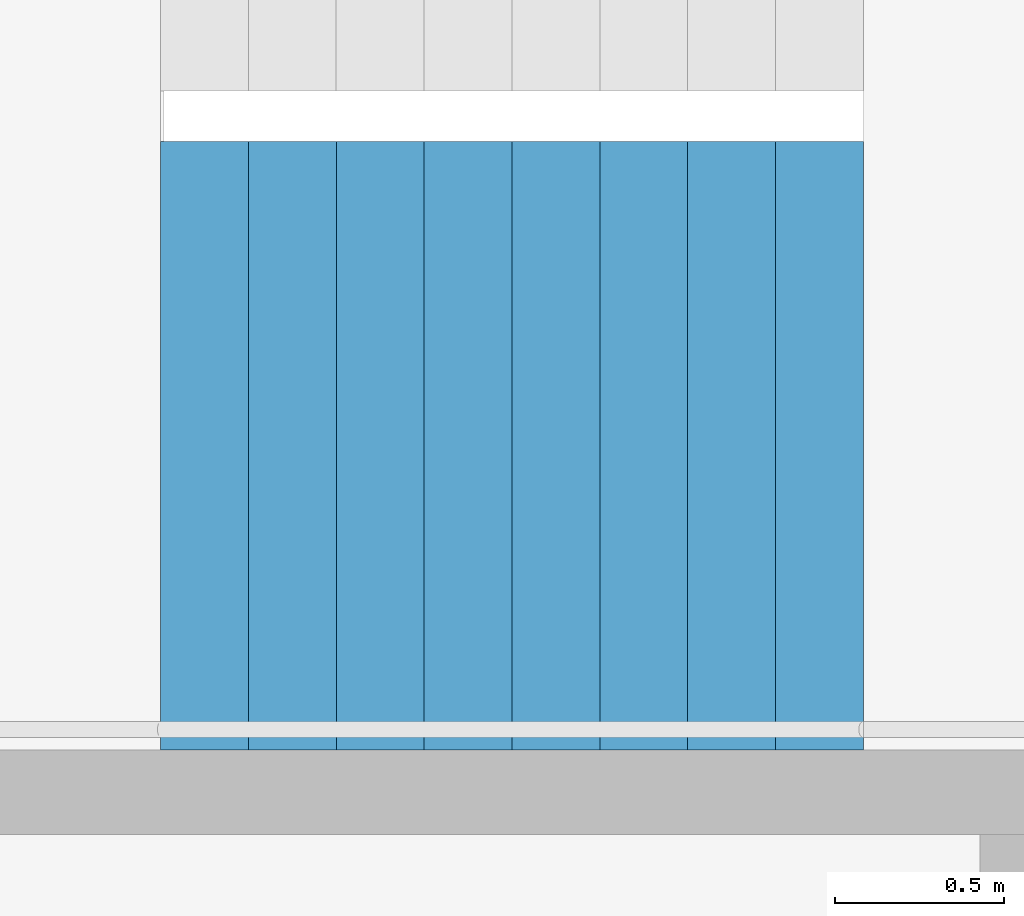
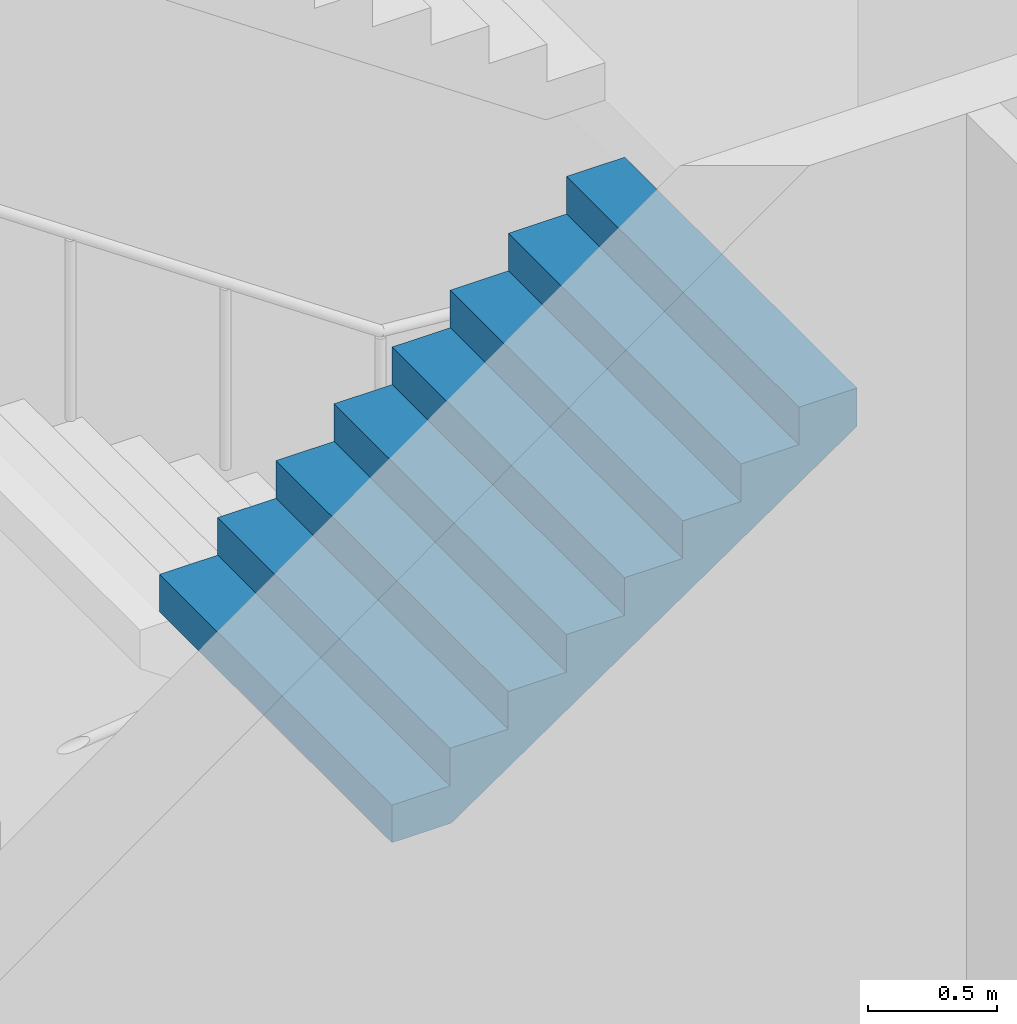
# One storey, part 20 of 41: 1 stair flight, 1 element without a shape of its own.
"""IFC4 building model written with IfcOpenShell, lengths in metres."""

from ifc_helpers import new_model, si_unit, direction, frame, origin, place, context, subcontext, project, spatial, triangles, material, type_object, element, aggregate, save


model = new_model("IFC4")

# Units and contexts
model_context = context("Model", 3, precision=1e-05, world=origin(), true_north=direction((0.0, 1.0)))
body_context = subcontext(model_context, "Body", "Model", "MODEL_VIEW")
ifc_project = project(units=[si_unit("LENGTHUNIT", "METRE"), si_unit("AREAUNIT", "SQUARE_METRE"), si_unit("VOLUMEUNIT", "CUBIC_METRE"), si_unit("PLANEANGLEUNIT", "RADIAN"), si_unit("MASSUNIT", "GRAM", prefix="KILO")], contexts=[model_context])

# Site, building, storey
site_placement = place(None, origin())
site = spatial("IfcSite", under=ifc_project, at=site_placement, CompositionType="ELEMENT")
building_placement = place(site_placement, origin())
building = spatial("IfcBuilding", under=site, at=building_placement, Name="Hakoniwa Tower and Hamabe Station Hall", CompositionType="ELEMENT")
storey_placement = place(building_placement, frame((0.0, 0.0, 180.199951171875)))
storey = spatial("IfcBuildingStorey", under=building, at=storey_placement, Name="L51", CompositionType="ELEMENT", Elevation=180.199951171875)

# Stair, stair flight
ifc_material_1 = material(Name="Concrete C40", Category="concrete")
stair_type = type_object("IfcStairType", Name="ESCAPE STAIR 1800", PredefinedType="HALF_TURN_STAIR", material=ifc_material_1)
stair_placement = place(storey_placement, origin())
stair = element("IfcStair", 1, at=stair_placement, inside=storey, type_object=stair_type, Name="Escape stair ST-1 L51", PredefinedType="HALF_TURN_STAIR")
ifc_material_2 = material(Name="Concrete C40", Category="concrete")
stair_flight_type = type_object("IfcStairFlightType", Name="STAIR FLIGHT 1800", PredefinedType="STRAIGHT", material=ifc_material_2)
stair_flight_placement = place(storey_placement, frame((-24.39990234375, 4.64990234375, 3.199951171875), z_axis=(0.0, 0.0, 1.0), x_axis=(1.0, 0.0, 0.0)))
stair_flight = element("IfcStairFlight", 2, at=stair_flight_placement, type_object=stair_flight_type, Name="ST-1 flight 3", NumberOfRisers=9, NumberOfTreads=8, PredefinedType="STRAIGHT", RiserHeight=0.177777778, TreadLength=0.26, context=body_context, shape_type="Tessellation", body=[
    triangles([(0.0, 0.89990234375, 0.0), (0.260009765625, 0.89990234375, 0.0), (0.265625, 0.89990234375, 0.0), (0.52001953125, 0.89990234375, 0.174072265625), (0.780029296875, 0.89990234375, 0.351806640625), (1.0400390625, 0.89990234375, 0.529541015625), (1.300048828125, 0.89990234375, 0.707275390625), (1.56005859375, 0.89990234375, 0.885009765625), (1.820068359375, 0.89990234375, 1.062744140625), (2.080078125, 0.89990234375, 1.24072265625), (2.080078125, 0.89990234375, 1.422119140625), (1.820068359375, 0.89990234375, 1.422119140625), (1.820068359375, 0.89990234375, 1.244384765625), (1.56005859375, 0.89990234375, 1.244384765625), (1.56005859375, 0.89990234375, 1.066650390625), (1.300048828125, 0.89990234375, 1.066650390625), (1.300048828125, 0.89990234375, 0.888916015625), (1.0400390625, 0.89990234375, 0.888916015625), (1.0400390625, 0.89990234375, 0.711181640625), (0.780029296875, 0.89990234375, 0.711181640625), (0.780029296875, 0.89990234375, 0.533447265625), (0.52001953125, 0.89990234375, 0.533447265625), (0.52001953125, 0.89990234375, 0.35546875), (0.265625, 0.89990234375, 0.35546875), (0.260009765625, 0.89990234375, 0.35546875), (0.260009765625, 0.89990234375, 0.177734375), (0.0, 0.89990234375, 0.177734375), (0.0, 0.06005859375, 0.0), (0.260009765625, 0.06005859375, 0.0), (0.265625, 0.06005859375, 0.0), (0.52001953125, 0.06005859375, 0.174072265625), (0.780029296875, 0.06005859375, 0.351806640625), (1.0400390625, 0.06005859375, 0.529541015625), (1.300048828125, 0.06005859375, 0.707275390625), (1.56005859375, 0.06005859375, 0.885009765625), (1.820068359375, 0.06005859375, 1.062744140625), (2.080078125, 0.06005859375, 1.24072265625), (2.080078125, 0.06005859375, 1.422119140625), (1.820068359375, 0.06005859375, 1.422119140625), (1.820068359375, 0.06005859375, 1.244384765625), (1.56005859375, 0.06005859375, 1.244384765625), (1.56005859375, 0.06005859375, 1.066650390625), (1.300048828125, 0.06005859375, 1.066650390625), (1.300048828125, 0.06005859375, 0.888916015625), (1.0400390625, 0.06005859375, 0.888916015625), (1.0400390625, 0.06005859375, 0.711181640625), (0.780029296875, 0.06005859375, 0.711181640625), (0.780029296875, 0.06005859375, 0.533447265625), (0.52001953125, 0.06005859375, 0.533447265625), (0.52001953125, 0.06005859375, 0.35546875), (0.265625, 0.06005859375, 0.35546875), (0.260009765625, 0.06005859375, 0.35546875), (0.260009765625, 0.06005859375, 0.177734375), (0.0, 0.06005859375, 0.177734375), (0.0, 0.04296875, 0.0), (0.260009765625, 0.04296875, 0.0), (0.265625, 0.04296875, 0.0), (0.52001953125, 0.04296875, 0.174072265625), (0.780029296875, 0.04296875, 0.351806640625), (1.0400390625, 0.04296875, 0.529541015625), (1.300048828125, 0.04296875, 0.707275390625), (1.56005859375, 0.04296875, 0.885009765625), (1.820068359375, 0.04296875, 1.062744140625), (2.080078125, 0.04296875, 1.24072265625), (2.080078125, 0.04296875, 1.422119140625), (1.820068359375, 0.04296875, 1.422119140625), (1.820068359375, 0.04296875, 1.244384765625), (1.56005859375, 0.04296875, 1.244384765625), (1.56005859375, 0.04296875, 1.066650390625), (1.300048828125, 0.04296875, 1.066650390625), (1.300048828125, 0.04296875, 0.888916015625), (1.0400390625, 0.04296875, 0.888916015625), (1.0400390625, 0.04296875, 0.711181640625), (0.780029296875, 0.04296875, 0.711181640625), (0.780029296875, 0.04296875, 0.533447265625), (0.52001953125, 0.04296875, 0.533447265625), (0.52001953125, 0.04296875, 0.35546875), (0.265625, 0.04296875, 0.35546875), (0.260009765625, 0.04296875, 0.35546875), (0.260009765625, 0.04296875, 0.177734375), (0.0, 0.04296875, 0.177734375), (0.0, 0.025634765625, 0.0), (0.260009765625, 0.025634765625, 0.0), (0.265625, 0.025634765625, 0.0), (0.52001953125, 0.025634765625, 0.174072265625), (0.780029296875, 0.025634765625, 0.351806640625), (1.0400390625, 0.025634765625, 0.529541015625), (1.300048828125, 0.025634765625, 0.707275390625), (1.56005859375, 0.025634765625, 0.885009765625), (1.820068359375, 0.025634765625, 1.062744140625), (2.080078125, 0.025634765625, 1.24072265625), (2.080078125, 0.025634765625, 1.422119140625), (1.820068359375, 0.025634765625, 1.422119140625), (1.820068359375, 0.025634765625, 1.244384765625), (1.56005859375, 0.025634765625, 1.244384765625), (1.56005859375, 0.025634765625, 1.066650390625), (1.300048828125, 0.025634765625, 1.066650390625), (1.300048828125, 0.025634765625, 0.888916015625), (1.0400390625, 0.025634765625, 0.888916015625), (1.0400390625, 0.025634765625, 0.711181640625), (0.780029296875, 0.025634765625, 0.711181640625), (0.780029296875, 0.025634765625, 0.533447265625), (0.52001953125, 0.025634765625, 0.533447265625), (0.52001953125, 0.025634765625, 0.35546875), (0.265625, 0.025634765625, 0.35546875), (0.260009765625, 0.025634765625, 0.35546875), (0.260009765625, 0.025634765625, 0.177734375), (0.0, 0.025634765625, 0.177734375), (0.0, 0.008544921875, 0.0), (0.260009765625, 0.008544921875, 0.0), (0.265625, 0.008544921875, 0.0), (0.52001953125, 0.008544921875, 0.174072265625), (0.780029296875, 0.008544921875, 0.351806640625), (1.0400390625, 0.008544921875, 0.529541015625), (1.300048828125, 0.008544921875, 0.707275390625), (1.56005859375, 0.008544921875, 0.885009765625), (1.820068359375, 0.008544921875, 1.062744140625), (2.080078125, 0.008544921875, 1.24072265625), (2.080078125, 0.008544921875, 1.422119140625), (1.820068359375, 0.008544921875, 1.422119140625), (1.820068359375, 0.008544921875, 1.244384765625), (1.56005859375, 0.008544921875, 1.244384765625), (1.56005859375, 0.008544921875, 1.066650390625), (1.300048828125, 0.008544921875, 1.066650390625), (1.300048828125, 0.008544921875, 0.888916015625), (1.0400390625, 0.008544921875, 0.888916015625), (1.0400390625, 0.008544921875, 0.711181640625), (0.780029296875, 0.008544921875, 0.711181640625), (0.780029296875, 0.008544921875, 0.533447265625), (0.52001953125, 0.008544921875, 0.533447265625), (0.52001953125, 0.008544921875, 0.35546875), (0.265625, 0.008544921875, 0.35546875), (0.260009765625, 0.008544921875, 0.35546875), (0.260009765625, 0.008544921875, 0.177734375), (0.0, 0.008544921875, 0.177734375), (0.0, -0.008544921875, 0.0), (0.260009765625, -0.008544921875, 0.0), (0.265625, -0.008544921875, 0.0), (0.52001953125, -0.008544921875, 0.174072265625), (0.780029296875, -0.008544921875, 0.351806640625), (1.0400390625, -0.008544921875, 0.529541015625), (1.300048828125, -0.008544921875, 0.707275390625), (1.56005859375, -0.008544921875, 0.885009765625), (1.820068359375, -0.008544921875, 1.062744140625), (2.080078125, -0.008544921875, 1.24072265625), (2.080078125, -0.008544921875, 1.422119140625), (1.820068359375, -0.008544921875, 1.422119140625), (1.820068359375, -0.008544921875, 1.244384765625), (1.56005859375, -0.008544921875, 1.244384765625), (1.56005859375, -0.008544921875, 1.066650390625), (1.300048828125, -0.008544921875, 1.066650390625), (1.300048828125, -0.008544921875, 0.888916015625), (1.0400390625, -0.008544921875, 0.888916015625), (1.0400390625, -0.008544921875, 0.711181640625), (0.780029296875, -0.008544921875, 0.711181640625), (0.780029296875, -0.008544921875, 0.533447265625), (0.52001953125, -0.008544921875, 0.533447265625), (0.52001953125, -0.008544921875, 0.35546875), (0.265625, -0.008544921875, 0.35546875), (0.260009765625, -0.008544921875, 0.35546875), (0.260009765625, -0.008544921875, 0.177734375), (0.0, -0.008544921875, 0.177734375), (0.0, -0.025634765625, 0.0), (0.260009765625, -0.025634765625, 0.0), (0.265625, -0.025634765625, 0.0), (0.52001953125, -0.025634765625, 0.174072265625), (0.780029296875, -0.025634765625, 0.351806640625), (1.0400390625, -0.025634765625, 0.529541015625), (1.300048828125, -0.025634765625, 0.707275390625), (1.56005859375, -0.025634765625, 0.885009765625), (1.820068359375, -0.025634765625, 1.062744140625), (2.080078125, -0.025634765625, 1.24072265625), (2.080078125, -0.025634765625, 1.422119140625), (1.820068359375, -0.025634765625, 1.422119140625), (1.820068359375, -0.025634765625, 1.244384765625), (1.56005859375, -0.025634765625, 1.244384765625), (1.56005859375, -0.025634765625, 1.066650390625), (1.300048828125, -0.025634765625, 1.066650390625), (1.300048828125, -0.025634765625, 0.888916015625), (1.0400390625, -0.025634765625, 0.888916015625), (1.0400390625, -0.025634765625, 0.711181640625), (0.780029296875, -0.025634765625, 0.711181640625), (0.780029296875, -0.025634765625, 0.533447265625), (0.52001953125, -0.025634765625, 0.533447265625), (0.52001953125, -0.025634765625, 0.35546875), (0.265625, -0.025634765625, 0.35546875), (0.260009765625, -0.025634765625, 0.35546875), (0.260009765625, -0.025634765625, 0.177734375), (0.0, -0.025634765625, 0.177734375), (0.0, -0.04296875, 0.0), (0.260009765625, -0.04296875, 0.0), (0.265625, -0.04296875, 0.0), (0.52001953125, -0.04296875, 0.174072265625), (0.780029296875, -0.04296875, 0.351806640625), (1.0400390625, -0.04296875, 0.529541015625), (1.300048828125, -0.04296875, 0.707275390625), (1.56005859375, -0.04296875, 0.885009765625), (1.820068359375, -0.04296875, 1.062744140625), (2.080078125, -0.04296875, 1.24072265625), (2.080078125, -0.04296875, 1.422119140625), (1.820068359375, -0.04296875, 1.422119140625), (1.820068359375, -0.04296875, 1.244384765625), (1.56005859375, -0.04296875, 1.244384765625), (1.56005859375, -0.04296875, 1.066650390625), (1.300048828125, -0.04296875, 1.066650390625), (1.300048828125, -0.04296875, 0.888916015625), (1.0400390625, -0.04296875, 0.888916015625), (1.0400390625, -0.04296875, 0.711181640625), (0.780029296875, -0.04296875, 0.711181640625), (0.780029296875, -0.04296875, 0.533447265625), (0.52001953125, -0.04296875, 0.533447265625), (0.52001953125, -0.04296875, 0.35546875), (0.265625, -0.04296875, 0.35546875), (0.260009765625, -0.04296875, 0.35546875), (0.260009765625, -0.04296875, 0.177734375), (0.0, -0.04296875, 0.177734375), (0.0, -0.06005859375, 0.0), (0.260009765625, -0.06005859375, 0.0), (0.265625, -0.06005859375, 0.0), (0.52001953125, -0.06005859375, 0.174072265625), (0.780029296875, -0.06005859375, 0.351806640625), (1.0400390625, -0.06005859375, 0.529541015625), (1.300048828125, -0.06005859375, 0.707275390625), (1.56005859375, -0.06005859375, 0.885009765625), (1.820068359375, -0.06005859375, 1.062744140625), (2.080078125, -0.06005859375, 1.24072265625), (2.080078125, -0.06005859375, 1.422119140625), (1.820068359375, -0.06005859375, 1.422119140625), (1.820068359375, -0.06005859375, 1.244384765625), (1.56005859375, -0.06005859375, 1.244384765625), (1.56005859375, -0.06005859375, 1.066650390625), (1.300048828125, -0.06005859375, 1.066650390625), (1.300048828125, -0.06005859375, 0.888916015625), (1.0400390625, -0.06005859375, 0.888916015625), (1.0400390625, -0.06005859375, 0.711181640625), (0.780029296875, -0.06005859375, 0.711181640625), (0.780029296875, -0.06005859375, 0.533447265625), (0.52001953125, -0.06005859375, 0.533447265625), (0.52001953125, -0.06005859375, 0.35546875), (0.265625, -0.06005859375, 0.35546875), (0.260009765625, -0.06005859375, 0.35546875), (0.260009765625, -0.06005859375, 0.177734375), (0.0, -0.06005859375, 0.177734375), (0.0, -0.89990234375, 0.0), (0.260009765625, -0.89990234375, 0.0), (0.265625, -0.89990234375, 0.0), (0.52001953125, -0.89990234375, 0.174072265625), (0.780029296875, -0.89990234375, 0.351806640625), (1.0400390625, -0.89990234375, 0.529541015625), (1.300048828125, -0.89990234375, 0.707275390625), (1.56005859375, -0.89990234375, 0.885009765625), (1.820068359375, -0.89990234375, 1.062744140625), (2.080078125, -0.89990234375, 1.24072265625), (2.080078125, -0.89990234375, 1.422119140625), (1.820068359375, -0.89990234375, 1.422119140625), (1.820068359375, -0.89990234375, 1.244384765625), (1.56005859375, -0.89990234375, 1.244384765625), (1.56005859375, -0.89990234375, 1.066650390625), (1.300048828125, -0.89990234375, 1.066650390625), (1.300048828125, -0.89990234375, 0.888916015625), (1.0400390625, -0.89990234375, 0.888916015625), (1.0400390625, -0.89990234375, 0.711181640625), (0.780029296875, -0.89990234375, 0.711181640625), (0.780029296875, -0.89990234375, 0.533447265625), (0.52001953125, -0.89990234375, 0.533447265625), (0.52001953125, -0.89990234375, 0.35546875), (0.265625, -0.89990234375, 0.35546875), (0.260009765625, -0.89990234375, 0.35546875), (0.260009765625, -0.89990234375, 0.177734375), (0.0, -0.89990234375, 0.177734375)], [[2, 27, 26], [245, 269, 270], [2, 1, 27], [245, 270, 244], [3, 25, 24], [246, 267, 268], [3, 26, 25], [246, 268, 269], [3, 2, 26], [246, 269, 245], [4, 24, 23], [247, 266, 267], [4, 3, 24], [247, 267, 246], [5, 22, 21], [248, 264, 265], [5, 23, 22], [248, 265, 266], [5, 4, 23], [248, 266, 247], [6, 20, 19], [249, 262, 263], [6, 21, 20], [249, 263, 264], [6, 5, 21], [249, 264, 248], [7, 18, 17], [250, 260, 261], [7, 19, 18], [250, 261, 262], [7, 6, 19], [250, 262, 249], [8, 16, 15], [251, 258, 259], [8, 17, 16], [251, 259, 260], [8, 7, 17], [251, 260, 250], [9, 14, 13], [252, 256, 257], [9, 15, 14], [252, 257, 258], [9, 8, 15], [252, 258, 251], [10, 12, 11], [253, 254, 255], [10, 13, 12], [253, 255, 256], [10, 9, 13], [253, 256, 252], [1, 2, 29], [1, 29, 28], [28, 29, 56], [28, 56, 55], [55, 56, 83], [55, 83, 82], [82, 83, 110], [82, 110, 109], [109, 110, 137], [109, 137, 136], [136, 137, 164], [136, 164, 163], [163, 164, 191], [163, 191, 190], [190, 191, 218], [190, 218, 217], [217, 218, 245], [217, 245, 244], [2, 3, 30], [2, 30, 29], [29, 30, 57], [29, 57, 56], [56, 57, 84], [56, 84, 83], [83, 84, 111], [83, 111, 110], [110, 111, 138], [110, 138, 137], [137, 138, 165], [137, 165, 164], [164, 165, 192], [164, 192, 191], [191, 192, 219], [191, 219, 218], [218, 219, 246], [218, 246, 245], [3, 4, 31], [3, 31, 30], [30, 31, 58], [30, 58, 57], [57, 58, 85], [57, 85, 84], [84, 85, 112], [84, 112, 111], [111, 112, 139], [111, 139, 138], [138, 139, 166], [138, 166, 165], [165, 166, 193], [165, 193, 192], [192, 193, 220], [192, 220, 219], [219, 220, 247], [219, 247, 246], [4, 5, 32], [4, 32, 31], [31, 32, 59], [31, 59, 58], [58, 59, 86], [58, 86, 85], [85, 86, 113], [85, 113, 112], [112, 113, 140], [112, 140, 139], [139, 140, 167], [139, 167, 166], [166, 167, 194], [166, 194, 193], [193, 194, 221], [193, 221, 220], [220, 221, 248], [220, 248, 247], [5, 6, 33], [5, 33, 32], [32, 33, 60], [32, 60, 59], [59, 60, 87], [59, 87, 86], [86, 87, 114], [86, 114, 113], [113, 114, 141], [113, 141, 140], [140, 141, 168], [140, 168, 167], [167, 168, 195], [167, 195, 194], [194, 195, 222], [194, 222, 221], [221, 222, 249], [221, 249, 248], [6, 7, 34], [6, 34, 33], [33, 34, 61], [33, 61, 60], [60, 61, 88], [60, 88, 87], [87, 88, 115], [87, 115, 114], [114, 115, 142], [114, 142, 141], [141, 142, 169], [141, 169, 168], [168, 169, 196], [168, 196, 195], [195, 196, 223], [195, 223, 222], [222, 223, 250], [222, 250, 249], [7, 8, 35], [7, 35, 34], [34, 35, 62], [34, 62, 61], [61, 62, 89], [61, 89, 88], [88, 89, 116], [88, 116, 115], [115, 116, 143], [115, 143, 142], [142, 143, 170], [142, 170, 169], [169, 170, 197], [169, 197, 196], [196, 197, 224], [196, 224, 223], [223, 224, 251], [223, 251, 250], [8, 9, 36], [8, 36, 35], [35, 36, 63], [35, 63, 62], [62, 63, 90], [62, 90, 89], [89, 90, 117], [89, 117, 116], [116, 117, 144], [116, 144, 143], [143, 144, 171], [143, 171, 170], [170, 171, 198], [170, 198, 197], [197, 198, 225], [197, 225, 224], [224, 225, 252], [224, 252, 251], [9, 10, 37], [9, 37, 36], [36, 37, 64], [36, 64, 63], [63, 64, 91], [63, 91, 90], [90, 91, 118], [90, 118, 117], [117, 118, 145], [117, 145, 144], [144, 145, 172], [144, 172, 171], [171, 172, 199], [171, 199, 198], [198, 199, 226], [198, 226, 225], [225, 226, 253], [225, 253, 252], [10, 11, 38], [10, 38, 37], [37, 38, 65], [37, 65, 64], [64, 65, 92], [64, 92, 91], [91, 92, 119], [91, 119, 118], [118, 119, 146], [118, 146, 145], [145, 146, 173], [145, 173, 172], [172, 173, 200], [172, 200, 199], [199, 200, 227], [199, 227, 226], [226, 227, 254], [226, 254, 253], [11, 12, 39], [11, 39, 38], [38, 39, 66], [38, 66, 65], [65, 66, 93], [65, 93, 92], [92, 93, 120], [92, 120, 119], [119, 120, 147], [119, 147, 146], [146, 147, 174], [146, 174, 173], [173, 174, 201], [173, 201, 200], [200, 201, 228], [200, 228, 227], [227, 228, 255], [227, 255, 254], [12, 13, 40], [12, 40, 39], [39, 40, 67], [39, 67, 66], [66, 67, 94], [66, 94, 93], [93, 94, 121], [93, 121, 120], [120, 121, 148], [120, 148, 147], [147, 148, 175], [147, 175, 174], [174, 175, 202], [174, 202, 201], [201, 202, 229], [201, 229, 228], [228, 229, 256], [228, 256, 255], [13, 14, 41], [13, 41, 40], [40, 41, 68], [40, 68, 67], [67, 68, 95], [67, 95, 94], [94, 95, 122], [94, 122, 121], [121, 122, 149], [121, 149, 148], [148, 149, 176], [148, 176, 175], [175, 176, 203], [175, 203, 202], [202, 203, 230], [202, 230, 229], [229, 230, 257], [229, 257, 256], [14, 15, 42], [14, 42, 41], [41, 42, 69], [41, 69, 68], [68, 69, 96], [68, 96, 95], [95, 96, 123], [95, 123, 122], [122, 123, 150], [122, 150, 149], [149, 150, 177], [149, 177, 176], [176, 177, 204], [176, 204, 203], [203, 204, 231], [203, 231, 230], [230, 231, 258], [230, 258, 257], [15, 16, 43], [15, 43, 42], [42, 43, 70], [42, 70, 69], [69, 70, 97], [69, 97, 96], [96, 97, 124], [96, 124, 123], [123, 124, 151], [123, 151, 150], [150, 151, 178], [150, 178, 177], [177, 178, 205], [177, 205, 204], [204, 205, 232], [204, 232, 231], [231, 232, 259], [231, 259, 258], [16, 17, 44], [16, 44, 43], [43, 44, 71], [43, 71, 70], [70, 71, 98], [70, 98, 97], [97, 98, 125], [97, 125, 124], [124, 125, 152], [124, 152, 151], [151, 152, 179], [151, 179, 178], [178, 179, 206], [178, 206, 205], [205, 206, 233], [205, 233, 232], [232, 233, 260], [232, 260, 259], [17, 18, 45], [17, 45, 44], [44, 45, 72], [44, 72, 71], [71, 72, 99], [71, 99, 98], [98, 99, 126], [98, 126, 125], [125, 126, 153], [125, 153, 152], [152, 153, 180], [152, 180, 179], [179, 180, 207], [179, 207, 206], [206, 207, 234], [206, 234, 233], [233, 234, 261], [233, 261, 260], [18, 19, 46], [18, 46, 45], [45, 46, 73], [45, 73, 72], [72, 73, 100], [72, 100, 99], [99, 100, 127], [99, 127, 126], [126, 127, 154], [126, 154, 153], [153, 154, 181], [153, 181, 180], [180, 181, 208], [180, 208, 207], [207, 208, 235], [207, 235, 234], [234, 235, 262], [234, 262, 261], [19, 20, 47], [19, 47, 46], [46, 47, 74], [46, 74, 73], [73, 74, 101], [73, 101, 100], [100, 101, 128], [100, 128, 127], [127, 128, 155], [127, 155, 154], [154, 155, 182], [154, 182, 181], [181, 182, 209], [181, 209, 208], [208, 209, 236], [208, 236, 235], [235, 236, 263], [235, 263, 262], [20, 21, 48], [20, 48, 47], [47, 48, 75], [47, 75, 74], [74, 75, 102], [74, 102, 101], [101, 102, 129], [101, 129, 128], [128, 129, 156], [128, 156, 155], [155, 156, 183], [155, 183, 182], [182, 183, 210], [182, 210, 209], [209, 210, 237], [209, 237, 236], [236, 237, 264], [236, 264, 263], [21, 22, 49], [21, 49, 48], [48, 49, 76], [48, 76, 75], [75, 76, 103], [75, 103, 102], [102, 103, 130], [102, 130, 129], [129, 130, 157], [129, 157, 156], [156, 157, 184], [156, 184, 183], [183, 184, 211], [183, 211, 210], [210, 211, 238], [210, 238, 237], [237, 238, 265], [237, 265, 264], [22, 23, 50], [22, 50, 49], [49, 50, 77], [49, 77, 76], [76, 77, 104], [76, 104, 103], [103, 104, 131], [103, 131, 130], [130, 131, 158], [130, 158, 157], [157, 158, 185], [157, 185, 184], [184, 185, 212], [184, 212, 211], [211, 212, 239], [211, 239, 238], [238, 239, 266], [238, 266, 265], [23, 24, 51], [23, 51, 50], [50, 51, 78], [50, 78, 77], [77, 78, 105], [77, 105, 104], [104, 105, 132], [104, 132, 131], [131, 132, 159], [131, 159, 158], [158, 159, 186], [158, 186, 185], [185, 186, 213], [185, 213, 212], [212, 213, 240], [212, 240, 239], [239, 240, 267], [239, 267, 266], [24, 25, 52], [24, 52, 51], [51, 52, 79], [51, 79, 78], [78, 79, 106], [78, 106, 105], [105, 106, 133], [105, 133, 132], [132, 133, 160], [132, 160, 159], [159, 160, 187], [159, 187, 186], [186, 187, 214], [186, 214, 213], [213, 214, 241], [213, 241, 240], [240, 241, 268], [240, 268, 267], [25, 26, 53], [25, 53, 52], [52, 53, 80], [52, 80, 79], [79, 80, 107], [79, 107, 106], [106, 107, 134], [106, 134, 133], [133, 134, 161], [133, 161, 160], [160, 161, 188], [160, 188, 187], [187, 188, 215], [187, 215, 214], [214, 215, 242], [214, 242, 241], [241, 242, 269], [241, 269, 268], [26, 27, 54], [26, 54, 53], [53, 54, 81], [53, 81, 80], [80, 81, 108], [80, 108, 107], [107, 108, 135], [107, 135, 134], [134, 135, 162], [134, 162, 161], [161, 162, 189], [161, 189, 188], [188, 189, 216], [188, 216, 215], [215, 216, 243], [215, 243, 242], [242, 243, 270], [242, 270, 269], [27, 1, 28], [27, 28, 54], [54, 28, 55], [54, 55, 81], [81, 55, 82], [81, 82, 108], [108, 82, 109], [108, 109, 135], [135, 109, 136], [135, 136, 162], [162, 136, 163], [162, 163, 189], [189, 163, 190], [189, 190, 216], [216, 190, 217], [216, 217, 243], [243, 217, 244], [243, 244, 270]], closed=True),
])
aggregate(stair, [stair_flight])

save(model, "model.ifc")
